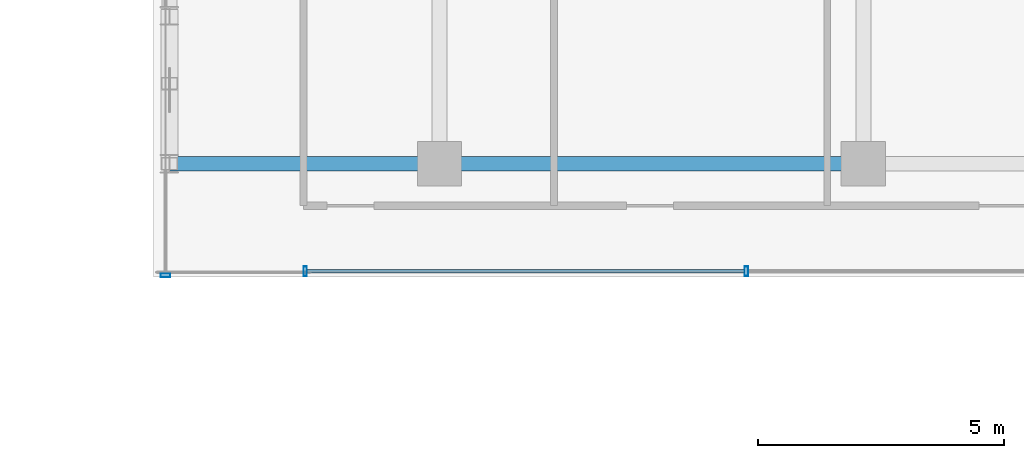
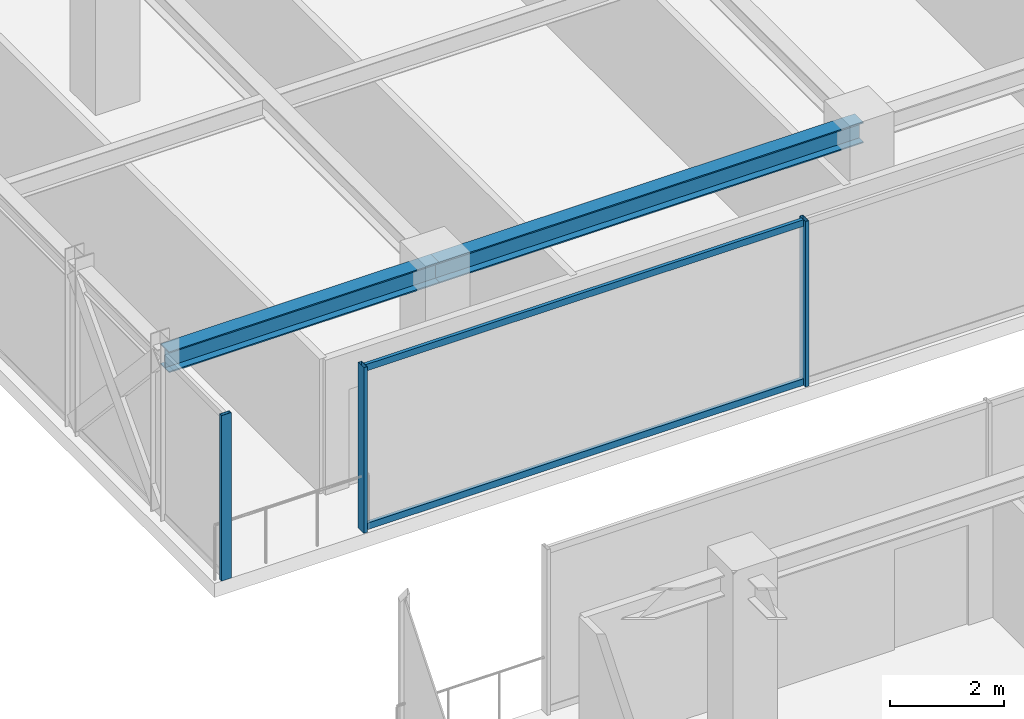
# One storey, part 10 of 37: 5 members, 2 beams, 2 elements without a shape of their own.
"""IFC4 building model written with IfcOpenShell, lengths in metres."""

from ifc_helpers import new_model, si_unit, direction, frame, origin, origin_2d, place, context, subcontext, project, spatial, hollow_rectangle, i_section, extrude, source, transform, mapped, material, material_profile, profile_set, type_object, element, aggregate, save


model = new_model("IFC4")

# Units and contexts
model_context = context("Model", 3, precision=1e-05, world=origin(), true_north=direction((0.0, 1.0)))
body_context = subcontext(model_context, "Body", "Model", "MODEL_VIEW")
ifc_project = project(units=[si_unit("LENGTHUNIT", "METRE"), si_unit("AREAUNIT", "SQUARE_METRE"), si_unit("VOLUMEUNIT", "CUBIC_METRE"), si_unit("PLANEANGLEUNIT", "RADIAN"), si_unit("MASSUNIT", "GRAM", prefix="KILO")], contexts=[model_context])

# Site, building, storey
site_placement = place(None, origin())
site = spatial("IfcSite", under=ifc_project, at=site_placement, CompositionType="ELEMENT")
building_placement = place(site_placement, origin())
building = spatial("IfcBuilding", under=site, at=building_placement, Name="Nahalor Promenade Grand Hotel", CompositionType="ELEMENT")
storey_placement = place(building_placement, frame((0.0, 0.0, 292.64990234375)))
storey = spatial("IfcBuildingStorey", under=building, at=storey_placement, Name="L75", CompositionType="ELEMENT", Elevation=292.64990234375)

# Beams
ifc_material_1 = material(Name="Steel S355JR", Category="steel")
ifc_material_profile_1 = material_profile(ifc_material_1, i_section(OverallWidth=0.3, OverallDepth=0.45, WebThickness=0.014, FlangeThickness=0.026, at=origin_2d()), Name="HEB 450")
ifc_profile_set_1 = profile_set([ifc_material_profile_1], Name="Steel S355JR")
beam_type = type_object("IfcBeamType", Name="Beam-Girder-HEB450", PredefinedType="BEAM", material=ifc_profile_set_1)
shared_shape_1 = source(origin(), body_context, "Body", "SweptSolid", [
    extrude(i_section(OverallWidth=0.3, OverallDepth=0.45, WebThickness=0.014, FlangeThickness=0.026, at=origin_2d()), origin(), (0.0, 0.0, 1.0), 8.60009765625),
])
beam_1_placement = place(storey_placement, frame((-17.0, 5.39990234375, 3.3251953125), z_axis=(1.0, 0.0, 0.0), x_axis=(0.0, 1.0, 0.0)))
element("IfcBeam", 1, at=beam_1_placement, inside=storey, type_object=beam_type, Name="BM-L75-GX-2-1", PredefinedType="BEAM", context=body_context, shape_type="MappedRepresentation", body=[
    mapped(shared_shape_1, transform((0.0, 0.0, 0.0), scale=1.0)),
])
shared_shape_2 = source(origin(), body_context, "Body", "SweptSolid", [
    extrude(i_section(OverallWidth=0.3, OverallDepth=0.45, WebThickness=0.014, FlangeThickness=0.026, at=origin_2d()), origin(), (0.0, 0.0, 1.0), 5.47998046875),
])
beam_2_placement = place(storey_placement, frame((-22.47998046875, 5.39990234375, 3.3251953125), z_axis=(1.0, 0.0, 0.0), x_axis=(0.0, 1.0, 0.0)))
element("IfcBeam", 2, at=beam_2_placement, inside=storey, type_object=beam_type, Name="BM-L75-GX-2-0", PredefinedType="BEAM", context=body_context, shape_type="MappedRepresentation", body=[
    mapped(shared_shape_2, transform((0.0, 0.0, 0.0), scale=1.0)),
])

# Curtain wall, members
ifc_material_2 = material(Name="Anodised Bronze Aluminium EN AW-6063 T6", Category="aluminium")
curtain_wall_type = type_object("IfcCurtainWallType", Name="CW3 Elliptical-Void Collar Unitised Curtain Wall", PredefinedType="USERDEFINED", material=ifc_material_2)
curtain_wall_1_placement = place(storey_placement, origin())
curtain_wall_1 = element("IfcCurtainWall", 3, at=curtain_wall_1_placement, inside=storey, type_object=curtain_wall_type, Name="L75 Curtain Wall CW-L75-VOID-WN1", ObjectType="UNITISED_CURTAIN_WALL", PredefinedType="USERDEFINED")
ifc_material_profile_2 = material_profile(ifc_material_2, hollow_rectangle(XDim=0.07, YDim=0.14, WallThickness=0.004, at=origin_2d()), Name="CWT 70x140x4")
ifc_profile_set_2 = profile_set([ifc_material_profile_2], Name="Anodised Bronze Aluminium EN AW-6063 T6")
member_type_1 = type_object("IfcMemberType", Name="CWT3 Void Collar Transom 70x140", PredefinedType="USERDEFINED", material=ifc_profile_set_2)
shared_shape_3 = source(origin(), body_context, "Body", "SweptSolid", [
    extrude(hollow_rectangle(XDim=0.07, YDim=0.14, WallThickness=0.004, at=origin_2d()), origin(), (0.0, 0.0, 1.0), 8.881591796875),
])
member_1_placement = place(storey_placement, frame((-19.68994140625, 3.219970703125, 0.070068359375), z_axis=(1.0, 0.0, 0.0), x_axis=(0.0, 1.0, 0.0)))
member_1 = element("IfcMember", 4, at=member_1_placement, type_object=member_type_1, Name="CW-L75-VOID-WN1 Transom 0-0", ObjectType="TRANSOM", PredefinedType="USERDEFINED", context=body_context, shape_type="MappedRepresentation", body=[
    mapped(shared_shape_3, transform((0.0, 0.0, 0.0), scale=1.0)),
])
member_2_placement = place(storey_placement, frame((-19.68994140625, 3.219970703125, 3.47998046875), z_axis=(1.0, 0.0, 0.0), x_axis=(0.0, 1.0, 0.0)))
member_2 = element("IfcMember", 5, at=member_2_placement, type_object=member_type_1, Name="CW-L75-VOID-WN1 Transom 0-1", ObjectType="TRANSOM", PredefinedType="USERDEFINED", context=body_context, shape_type="MappedRepresentation", body=[
    mapped(shared_shape_3, transform((0.0, 0.0, 0.0), scale=1.0)),
])

# Curtain wall, member
curtain_wall_2_placement = place(storey_placement, origin())
curtain_wall_2 = element("IfcCurtainWall", 6, at=curtain_wall_2_placement, inside=storey, type_object=curtain_wall_type, Name="L75 Curtain Wall CW-L75-W-4", ObjectType="UNITISED_CURTAIN_WALL", PredefinedType="USERDEFINED")
ifc_material_profile_3 = material_profile(ifc_material_2, hollow_rectangle(XDim=0.07, YDim=0.2, WallThickness=0.005, at=origin_2d()), Name="CWM 70x200x5")
ifc_profile_set_3 = profile_set([ifc_material_profile_3], Name="Anodised Bronze Aluminium EN AW-6063 T6")
member_type_2 = type_object("IfcMemberType", Name="CWM3 Void Collar Mullion 70x200", PredefinedType="MULLION", material=ifc_profile_set_3)
shared_shape_4 = source(origin(), body_context, "Body", "SweptSolid", [
    extrude(hollow_rectangle(XDim=0.07, YDim=0.2, WallThickness=0.005, at=origin_2d()), origin(), (0.0, 0.0, 1.0), 3.550048828125),
])
member_3_placement = place(storey_placement, frame((-22.56005859375, 3.135009765625, 0.0), z_axis=(0.0, 0.0, 1.0), x_axis=(0.0, 1.0, 0.0)))
member_3 = element("IfcMember", 7, at=member_3_placement, type_object=member_type_2, Name="CW-L75-W-4 Mullion 0", PredefinedType="MULLION", context=body_context, shape_type="MappedRepresentation", body=[
    mapped(shared_shape_4, transform((0.0, 0.0, 0.0), scale=1.0)),
])
aggregate(curtain_wall_2, [member_3])

# Member
member_4_placement = place(storey_placement, frame((-19.72509765625, 3.219970703125, 0.0), z_axis=(0.0, 0.0, 1.0), x_axis=(1.0, 0.0, 0.0)))
member_4 = element("IfcMember", 8, at=member_4_placement, type_object=member_type_2, Name="CW-L75-VOID-WN1 Mullion 0", PredefinedType="MULLION", context=body_context, shape_type="MappedRepresentation", body=[
    mapped(shared_shape_4, transform((0.0, 0.0, 0.0), scale=1.0)),
])

member_5_placement = place(storey_placement, frame((-10.7734375, 3.219970703125, 0.0), z_axis=(0.0, 0.0, 1.0), x_axis=(1.0, 0.0, 0.0)))
member_5 = element("IfcMember", 9, at=member_5_placement, type_object=member_type_2, Name="CW-L75-VOID-WN1 Mullion 1", PredefinedType="MULLION", context=body_context, shape_type="MappedRepresentation", body=[
    mapped(shared_shape_4, transform((0.0, 0.0, 0.0), scale=1.0)),
])

aggregate(curtain_wall_1, [member_4, member_5, member_1, member_2])

save(model, "model.ifc")
